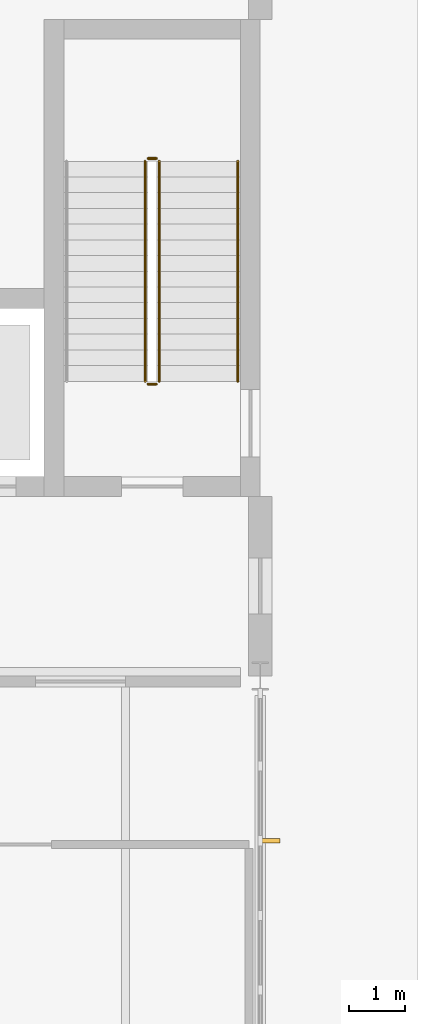
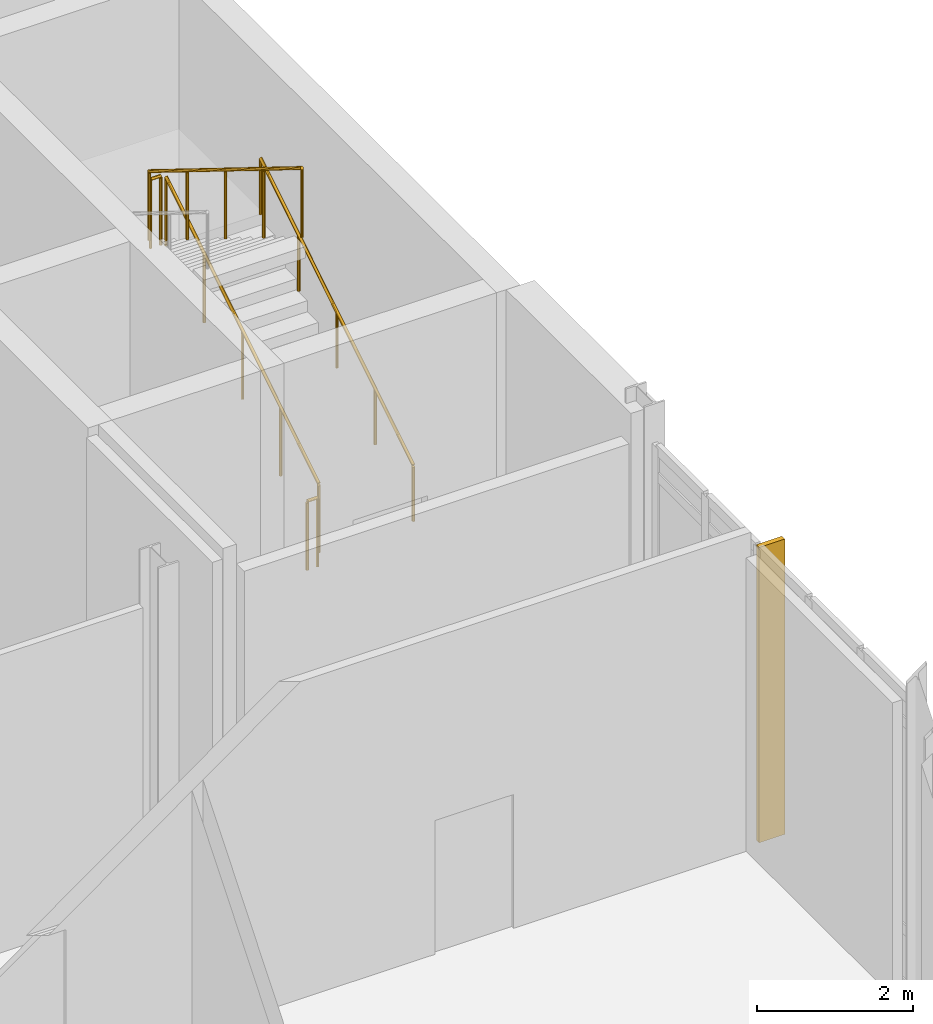
# One storey, part 87 of 89: 5 railings, 1 shading device.
"""IFC4 building model written with IfcOpenShell, lengths in metres."""

import ifcopenshell
import ifcopenshell.guid

model = None  # the IFC model being written
_history = None  # IfcOwnerHistory: only IFC2X3 demands one
_inside = {}  # id of a spatial element -> (the spatial element, [elements in it])
_under = {}  # id of a project, library or spatial element -> (it, [spatial elements below it])
_declared = {}  # id of a project -> (the project, [libraries it declares])
_typed = {}  # id of a type object -> (the type object, [elements of that type])
_made_of = {}  # id of a material, layer set ... -> (it, [elements and type objects made of it])


def new_model(schema):
    """Start an empty IFC model of exactly this schema.

    Asked for "IFC4X3", IfcOpenShell would pick the latest addendum, in which some entities
    have other attributes; the version numbers below select the first issue.
    IFC2X3 requires an IfcOwnerHistory on every rooted entity: one is made here for all.
    """
    global model, _history
    if schema == "IFC4X3":
        model = ifcopenshell.file(schema_version=(4, 3, 0, 0))
    else:
        model = ifcopenshell.file(schema=schema)
    _inside.clear()
    _under.clear()
    _declared.clear()
    _typed.clear()
    _made_of.clear()
    _history = None
    if model.schema == "IFC2X3":
        org = make("IfcOrganization", Name="unknown")
        user = make(
            "IfcPersonAndOrganization",
            ThePerson=make("IfcPerson", FamilyName="unknown"),
            TheOrganization=org,
        )
        app = make(
            "IfcApplication",
            ApplicationDeveloper=org,
            Version="unknown",
            ApplicationFullName="unknown",
            ApplicationIdentifier="unknown",
        )
        _history = make(
            "IfcOwnerHistory",
            OwningUser=user,
            OwningApplication=app,
            ChangeAction="ADDED",
            CreationDate=0,
        )
    return model


def make(cls, **values):
    """One entity of the class cls with the attributes given. An attribute that is None is left unset."""
    return model.create_entity(
        cls, **{name: value for name, value in values.items() if value is not None}
    )


def rooted(cls, **values):
    """An entity with a GlobalId (a new one), such as an element, a storey or a relation."""
    return make(cls, GlobalId=ifcopenshell.guid.new(), OwnerHistory=_history, **values)


def si_unit(unit_type, name, prefix=None):
    """IfcSIUnit, for example si_unit("LENGTHUNIT", "METRE", prefix="MILLI")."""
    return make("IfcSIUnit", UnitType=unit_type, Prefix=prefix, Name=name)


def assignment(units):
    """IfcUnitAssignment: the units of a project."""
    return None if units is None else make("IfcUnitAssignment", Units=units)


def point(xyz):
    """IfcCartesianPoint."""
    return None if xyz is None else make("IfcCartesianPoint", Coordinates=xyz)


def direction(xyz):
    """IfcDirection."""
    return None if xyz is None else make("IfcDirection", DirectionRatios=xyz)


def frame(location, z_axis=None, x_axis=None):
    """IfcAxis2Placement3D, a coordinate frame: its origin and axes. An axis left out is left unset."""
    return make(
        "IfcAxis2Placement3D",
        Location=point(location),
        Axis=direction(z_axis),
        RefDirection=direction(x_axis),
    )


def frame_2d(location, x_axis=None):
    """IfcAxis2Placement2D, a coordinate frame in the plane: its origin and x axis."""
    return make(
        "IfcAxis2Placement2D", Location=point(location), RefDirection=direction(x_axis)
    )


def origin():
    """The frame at (0, 0, 0) with its axes left unset."""
    return frame((0.0, 0.0, 0.0))


def origin_2d():
    """The frame at (0, 0) in the plane with its x axis left unset."""
    return frame_2d((0.0, 0.0))


def place(relative_to, where):
    """IfcLocalPlacement: puts the frame where relative to a parent placement (None: the world)."""
    return make(
        "IfcLocalPlacement", PlacementRelTo=relative_to, RelativePlacement=where
    )


def context(
    kind, dimensions, precision=None, world=None, true_north=None, identifier=None
):
    """IfcGeometricRepresentationContext, for example the 3D "Model" context."""
    return make(
        "IfcGeometricRepresentationContext",
        ContextIdentifier=identifier,
        ContextType=kind,
        CoordinateSpaceDimension=dimensions,
        Precision=precision,
        WorldCoordinateSystem=world,
        TrueNorth=true_north,
    )


def subcontext(parent, identifier, kind, view, scale=None):
    """IfcGeometricRepresentationSubContext, for example "Body" below "Model"."""
    return make(
        "IfcGeometricRepresentationSubContext",
        ContextIdentifier=identifier,
        ContextType=kind,
        ParentContext=parent,
        TargetScale=scale,
        TargetView=view,
    )


def project(units=None, contexts=None):
    """IfcProject with its units and contexts."""
    return rooted(
        "IfcProject",
        Name="project",
        RepresentationContexts=contexts,
        UnitsInContext=assignment(units),
    )


def spatial(cls, under=None, at=None, **own):
    """A site, building, storey or space (cls), placed at a placement, below another one or the project."""
    s = rooted(cls, ObjectPlacement=at, **own)
    if under is not None:
        _under.setdefault(under.id(), (under, []))[1].append(s)
    return s


def profile(cls, at=None, kind="AREA", **sizes):
    """A parametric profile (cls). Its sizes go by their IFC names, for example OverallWidth=200.0."""
    return make(cls, ProfileType=kind, Position=at, **sizes)


def rectangle(**sizes):
    """IfcRectangleProfileDef."""
    return profile("IfcRectangleProfileDef", **sizes)


def circle(**sizes):
    """IfcCircleProfileDef."""
    return profile("IfcCircleProfileDef", **sizes)


def extrude(swept, where, along, depth):
    """IfcExtrudedAreaSolid: the profile swept, set in the frame where, extruded along a direction by depth."""
    return make(
        "IfcExtrudedAreaSolid",
        SweptArea=swept,
        Position=where,
        ExtrudedDirection=direction(along),
        Depth=depth,
    )


def shape(context_of_items, identifier, shape_type, items):
    """IfcShapeRepresentation: the items that make up one representation, for example the "Body"."""
    return make(
        "IfcShapeRepresentation",
        ContextOfItems=context_of_items,
        RepresentationIdentifier=identifier,
        RepresentationType=shape_type,
        Items=items,
    )


def material(Name=None, Category=None):
    """IfcMaterial."""
    return make("IfcMaterial", Name=Name, Category=Category)


def layer(
    of_material, thickness, ventilated=None, Name=None, Category=None, Priority=None
):
    """IfcMaterialLayer: one layer of a wall or slab, of a material (None: an air gap)."""
    return make(
        "IfcMaterialLayer",
        Material=of_material,
        LayerThickness=thickness,
        IsVentilated=ventilated,
        Name=Name,
        Category=Category,
        Priority=Priority,
    )


def layer_set(layers, Name=None):
    """IfcMaterialLayerSet."""
    return make("IfcMaterialLayerSet", MaterialLayers=layers, LayerSetName=Name)


def made_of(thing, what):
    """Note that an element or type object is made of a material, layer set ...; save() writes the relation."""
    if what is not None:
        _made_of.setdefault(what.id(), (what, []))[1].append(thing)
    return thing


def type_object(cls, material=None, **own):
    """A type object (cls), such as IfcWallType, which elements share."""
    return made_of(rooted(cls, **own), material)


def element(
    cls,
    number,
    at=None,
    inside=None,
    cuts=None,
    type_object=None,
    material=None,
    context=None,
    identifier="Body",
    shape_type=None,
    held_by="IfcProductDefinitionShape",
    body=None,
    shapes=None,
    **own,
):
    """One element of the class cls, such as IfcWall. Its Tag is "e" and its number.

    at: its placement. inside: the storey or other place that contains it. cuts: it is an
    opening in that element (IfcRelVoidsElement). A single representation is given by context,
    identifier, shape_type and body (its items); several are given by shapes. held_by: the class
    of the entity that holds the representations. save() writes the other relations.
    """
    e = rooted(cls, Tag="e%d" % number, ObjectPlacement=at, **own)
    if body is not None:
        shapes = [shape(context, identifier, shape_type, body)]
    if shapes is not None:
        e.Representation = make(held_by, Representations=shapes)
    if inside is not None:
        _inside.setdefault(inside.id(), (inside, []))[1].append(e)
    if cuts is not None:
        rooted(
            "IfcRelVoidsElement", RelatingBuildingElement=cuts, RelatedOpeningElement=e
        )
    if type_object is not None:
        _typed.setdefault(type_object.id(), (type_object, []))[1].append(e)
    return made_of(e, material)


def aggregate(whole, parts):
    """IfcRelAggregates: a whole, such as a stair, and the parts it consists of."""
    return rooted("IfcRelAggregates", RelatingObject=whole, RelatedObjects=parts)


def save(model, path):
    """Write the relations noted so far, then the file.

    IfcRelAggregates (storeys below a building ...), IfcRelContainedInSpatialStructure (elements
    in a storey), IfcRelDefinesByType, IfcRelAssociatesMaterial and IfcRelDeclares: one each for
    every whole, place, type object, material and project.
    """
    for whole, parts in _under.values():
        aggregate(whole, parts)
    for where, things in _inside.values():
        rooted(
            "IfcRelContainedInSpatialStructure",
            RelatedElements=things,
            RelatingStructure=where,
        )
    for kind, things in _typed.values():
        rooted("IfcRelDefinesByType", RelatedObjects=things, RelatingType=kind)
    for what, things in _made_of.values():
        rooted("IfcRelAssociatesMaterial", RelatedObjects=things, RelatingMaterial=what)
    for by, libraries in _declared.values():
        rooted("IfcRelDeclares", RelatingContext=by, RelatedDefinitions=libraries)
    model.write(path)


model = new_model("IFC4")

# Units and contexts
model_context = context("Model", 3, precision=1e-05, world=origin(), true_north=direction((0.0, 1.0)))
body_context = subcontext(model_context, "Body", "Model", "MODEL_VIEW")
ifc_project = project(units=[si_unit("LENGTHUNIT", "METRE"), si_unit("AREAUNIT", "SQUARE_METRE"), si_unit("VOLUMEUNIT", "CUBIC_METRE"), si_unit("PLANEANGLEUNIT", "RADIAN"), si_unit("MASSUNIT", "GRAM", prefix="KILO")], contexts=[model_context])

# Site, building, storey
site_placement = place(None, origin())
site = spatial("IfcSite", under=ifc_project, at=site_placement, CompositionType="ELEMENT")
building_placement = place(site_placement, origin())
building = spatial("IfcBuilding", under=site, at=building_placement, Name="Zarrinpeak Specialist Clinic", CompositionType="ELEMENT")
storey_placement = place(building_placement, origin())
storey = spatial("IfcBuildingStorey", under=building, at=storey_placement, Name="L00", CompositionType="ELEMENT", Elevation=0.0)

# Railings
ifc_material_1 = material(Name="Laminated Safety Glass and Stainless Steel 316", Category="steel")
ifc_layer_1 = layer(ifc_material_1, 0.06005859375)
ifc_layer_set_1 = layer_set([ifc_layer_1], Name="Laminated Safety Glass and Stainless Steel 316")
railing_type_1 = type_object("IfcRailingType", Name="RL-GRD115", PredefinedType="GUARDRAIL", material=ifc_layer_set_1)
railing_1_placement = place(storey_placement, frame((63.0, 108.85009765625, 0.17333984375)))
element("IfcRailing", 1, at=railing_1_placement, inside=storey, type_object=railing_type_1, Name="L00 ST-12 stair guard 1", PredefinedType="GUARDRAIL", context=body_context, shape_type="SweptSolid", body=[
    extrude(circle(Radius=0.02392578125, at=origin_2d()), frame((0.0, 0.0, 1.076171875), z_axis=(0.0, 0.850251603719, 0.526376491091), x_axis=(-1.0, 0.0, 0.0)), (0.0, 0.0, 1.0), 4.6103515625),
    extrude(circle(Radius=0.02099609375, at=origin_2d()), origin(), (0.0, 0.0, 1.0), 1.052001953125),
    extrude(circle(Radius=0.02099609375, at=origin_2d()), frame((0.0, 0.97998046875, 0.606689453125)), (0.0, 0.0, 1.0), 1.052001953125),
    extrude(circle(Radius=0.02099609375, at=origin_2d()), frame((0.0, 1.9599609375, 1.21337890625)), (0.0, 0.0, 1.0), 1.052001953125),
    extrude(circle(Radius=0.02099609375, at=origin_2d()), frame((0.0, 2.93994140625, 1.820068359375)), (0.0, 0.0, 1.0), 1.052001953125),
    extrude(circle(Radius=0.02099609375, at=origin_2d()), frame((0.0, 3.919921875, 2.4267578125)), (0.0, 0.0, 1.0), 1.052001953125),
])
railing_2_placement = place(storey_placement, frame((62.949951171875, 112.820068359375, 2.60009765625)))
element("IfcRailing", 2, at=railing_2_placement, inside=storey, type_object=railing_type_1, Name="L00 ST-12 stair guard 2", PredefinedType="GUARDRAIL", context=body_context, shape_type="SweptSolid", body=[
    extrude(circle(Radius=0.02392578125, at=origin_2d()), frame((0.0, 0.0, 1.076171875), z_axis=(-1.0, 0.0, 0.0), x_axis=(0.0, -1.0, 0.0)), (0.0, 0.0, 1.0), 0.14990234375),
    extrude(circle(Radius=0.02099609375, at=origin_2d()), origin(), (0.0, 0.0, 1.0), 1.052001953125),
    extrude(circle(Radius=0.02099609375, at=origin_2d()), frame((-0.14990234375, 0.0, 0.0)), (0.0, 0.0, 1.0), 1.052001953125),
])
railing_3_placement = place(storey_placement, frame((62.75, 112.77001953125, 2.7734375)))
element("IfcRailing", 3, at=railing_3_placement, inside=storey, type_object=railing_type_1, Name="L00 ST-12 stair guard 3", PredefinedType="GUARDRAIL", context=body_context, shape_type="SweptSolid", body=[
    extrude(circle(Radius=0.02392578125, at=origin_2d()), frame((0.0, 0.0, 1.076171875), z_axis=(0.0, -0.850275303828, 0.526338206574), x_axis=(1.0, 0.0, 0.0)), (0.0, 0.0, 1.0), 4.610107421875),
    extrude(circle(Radius=0.02099609375, at=origin_2d()), origin(), (0.0, 0.0, 1.0), 1.052001953125),
    extrude(circle(Radius=0.02099609375, at=origin_2d()), frame((0.0, -0.97998046875, 0.606689453125)), (0.0, 0.0, 1.0), 1.052001953125),
    extrude(circle(Radius=0.02099609375, at=origin_2d()), frame((0.0, -1.9599609375, 1.21337890625)), (0.0, 0.0, 1.0), 1.052001953125),
    extrude(circle(Radius=0.02099609375, at=origin_2d()), frame((0.0, -2.93994140625, 1.81982421875)), (0.0, 0.0, 1.0), 1.052001953125),
    extrude(circle(Radius=0.02099609375, at=origin_2d()), frame((0.0, -3.919921875, 2.426513671875)), (0.0, 0.0, 1.0), 1.052001953125),
])
railing_4_placement = place(storey_placement, frame((62.949951171875, 108.800048828125, 0.0)))
element("IfcRailing", 4, at=railing_4_placement, inside=storey, type_object=railing_type_1, Name="L00 ST-12 stair guard 4", PredefinedType="GUARDRAIL", context=body_context, shape_type="SweptSolid", body=[
    extrude(circle(Radius=0.02392578125, at=origin_2d()), frame((0.0, 0.0, 1.076171875), z_axis=(-1.0, 0.0, 0.0), x_axis=(0.0, -1.0, 0.0)), (0.0, 0.0, 1.0), 0.14990234375),
    extrude(circle(Radius=0.02099609375, at=origin_2d()), origin(), (0.0, 0.0, 1.0), 1.052001953125),
    extrude(circle(Radius=0.02099609375, at=origin_2d()), frame((-0.14990234375, 0.0, 0.0)), (0.0, 0.0, 1.0), 1.052001953125),
])
ifc_material_2 = material(Name="Brushed Stainless Steel 316 Handrail", Category="steel")
ifc_layer_2 = layer(ifc_material_2, 0.050048828125)
ifc_layer_set_2 = layer_set([ifc_layer_2], Name="Brushed Stainless Steel 316 Handrail")
railing_type_2 = type_object("IfcRailingType", Name="RL-HND92", PredefinedType="HANDRAIL", material=ifc_layer_set_2)
railing_5_placement = place(storey_placement, frame((64.39990234375, 108.85009765625, 0.17333984375)))
element("IfcRailing", 5, at=railing_5_placement, inside=storey, type_object=railing_type_2, Name="L00 ST-12 stair handrail 1", PredefinedType="HANDRAIL", context=body_context, shape_type="SweptSolid", body=[
    extrude(circle(Radius=0.02392578125, at=origin_2d()), frame((0.0, 0.0, 0.8759765625), z_axis=(0.0, 0.850251603719, 0.526376491091), x_axis=(-1.0, 0.0, 0.0)), (0.0, 0.0, 1.0), 4.6103515625),
    extrude(circle(Radius=0.02099609375, at=origin_2d()), origin(), (0.0, 0.0, 1.0), 0.851806640625),
    extrude(circle(Radius=0.02099609375, at=origin_2d()), frame((0.0, 0.97998046875, 0.606689453125)), (0.0, 0.0, 1.0), 0.851806640625),
    extrude(circle(Radius=0.02099609375, at=origin_2d()), frame((0.0, 1.9599609375, 1.21337890625)), (0.0, 0.0, 1.0), 0.851806640625),
    extrude(circle(Radius=0.02099609375, at=origin_2d()), frame((0.0, 2.93994140625, 1.820068359375)), (0.0, 0.0, 1.0), 0.851806640625),
    extrude(circle(Radius=0.02099609375, at=origin_2d()), frame((0.0, 3.919921875, 2.4267578125)), (0.0, 0.0, 1.0), 0.851806640625),
])

# Shading device
ifc_material_3 = material(Name="Anodised Bronze Aluminium", Category="aluminium")
shading_device_type = type_object("IfcShadingDeviceType", Name="SHD-FIN-BZ", PredefinedType="JALOUSIE", material=ifc_material_3)
shading_device_placement = place(storey_placement, frame((64.965087890625, 100.6650390625, -0.014892578125), z_axis=(0.0, 0.0, 1.0), x_axis=(1.0, 0.0, 0.0)))
element("IfcShadingDevice", 6, at=shading_device_placement, inside=storey, type_object=shading_device_type, Name="L00 V6 Solar Control Fin FIN-084", PredefinedType="JALOUSIE", context=body_context, shape_type="SweptSolid", body=[
    extrude(rectangle(XDim=0.3798828125, YDim=0.074951171875, at=origin_2d()), origin(), (0.0, 0.0, 1.0), 4.625),
])

save(model, "model.ifc")
